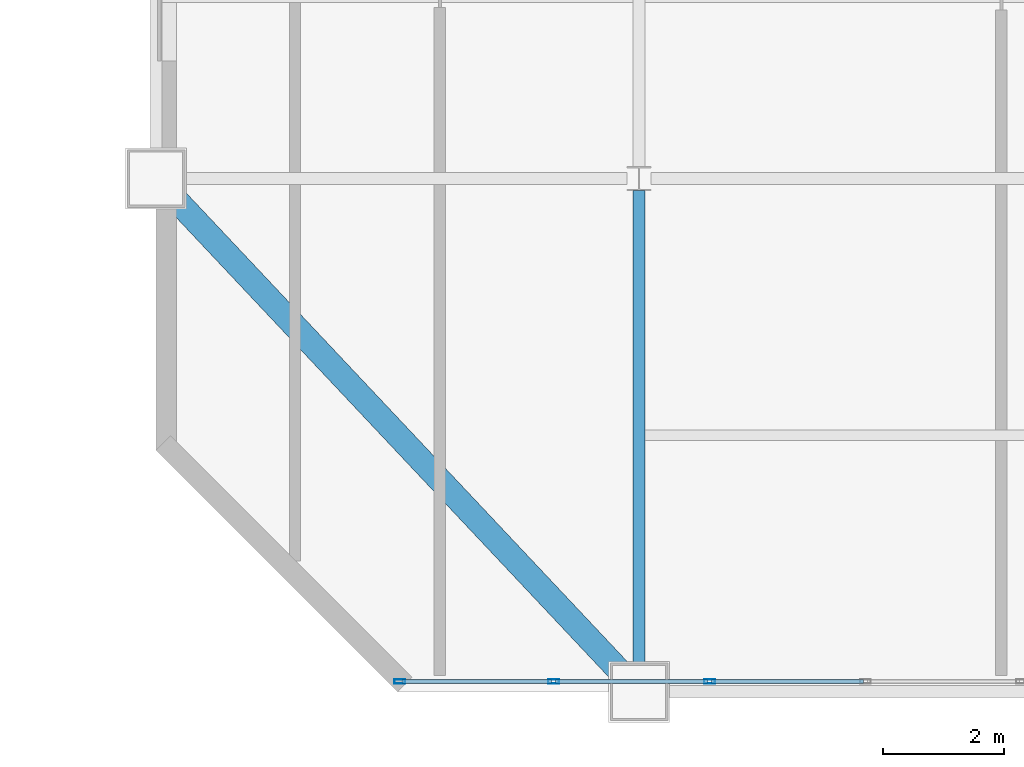
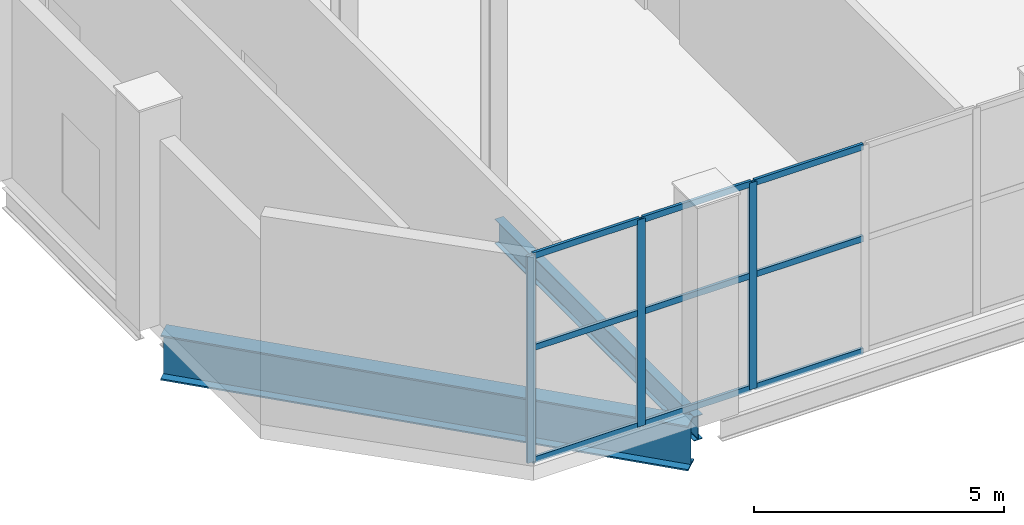
# One storey, part 7 of 24: 12 members, 2 beams, 1 element without a shape of its own.
"""IFC4 building model written with IfcOpenShell, lengths in metres."""

from ifc_helpers import new_model, si_unit, direction, frame, origin, origin_2d, place, context, subcontext, project, spatial, hollow_rectangle, i_section, extrude, material, layer, layer_set, material_profile, profile_set, type_object, element, aggregate, save


model = new_model("IFC4")

# Units and contexts
model_context = context("Model", 3, precision=1e-05, world=origin(), true_north=direction((0.0, 1.0)))
body_context = subcontext(model_context, "Body", "Model", "MODEL_VIEW")
ifc_project = project(units=[si_unit("LENGTHUNIT", "METRE"), si_unit("AREAUNIT", "SQUARE_METRE"), si_unit("VOLUMEUNIT", "CUBIC_METRE"), si_unit("PLANEANGLEUNIT", "RADIAN"), si_unit("MASSUNIT", "GRAM", prefix="KILO")], contexts=[model_context])

# Site, building, storey
site_placement = place(None, origin())
site = spatial("IfcSite", under=ifc_project, at=site_placement, CompositionType="ELEMENT")
building_placement = place(site_placement, origin())
building = spatial("IfcBuilding", under=site, at=building_placement, Name="Qianrong Seaharbour Tower", CompositionType="ELEMENT")
storey_placement = place(building_placement, frame((0.0, 0.0, 195.0)))
storey = spatial("IfcBuildingStorey", under=building, at=storey_placement, Name="L47", CompositionType="ELEMENT", Elevation=195.0)

# Beams
ifc_material_1 = material(Name="Structural steel SN490B", Category="steel")
ifc_material_profile_1 = material_profile(ifc_material_1, i_section(OverallWidth=0.199951171875, OverallDepth=0.60009765625, WebThickness=0.010986328125, FlangeThickness=0.01708984375, FilletRadius=0.02197265625, at=origin_2d()), Name="H600x200x11x17")
ifc_profile_set_1 = profile_set([ifc_material_profile_1], Name="Structural steel SN490B")
beam_type_1 = type_object("IfcBeamType", Name="BM-G-600", PredefinedType="BEAM", material=ifc_profile_set_1)
beam_1_placement = place(storey_placement, frame((48.5, 4.320068359375, -0.64990234375), z_axis=(0.0, 1.0, 0.0), x_axis=(-1.0, 0.0, 0.0)))
element("IfcBeam", 1, at=beam_1_placement, inside=storey, type_object=beam_type_1, Name="L47 Primary Girder G7 GB-GC", PredefinedType="BEAM", context=body_context, shape_type="SweptSolid", body=[
    extrude(i_section(OverallWidth=0.199951171875, OverallDepth=0.60009765625, WebThickness=0.010986328125, FlangeThickness=0.01708984375, FilletRadius=0.02197265625, at=origin_2d()), origin(), (0.0, 0.0, 1.0), 7.97998046875),
])
ifc_material_profile_2 = material_profile(ifc_material_1, i_section(OverallWidth=0.39990234375, OverallDepth=1.10009765625, WebThickness=0.02001953125, FlangeThickness=0.035888671875, at=origin_2d()), Name="BH1100x400x20x36")
ifc_profile_set_2 = profile_set([ifc_material_profile_2], Name="Structural steel SN490B")
beam_type_2 = type_object("IfcBeamType", Name="BM-TG-1100", PredefinedType="BEAM", material=ifc_profile_set_2)
beam_2_placement = place(storey_placement, frame((48.28076171875, 4.23291015625, -0.89990234375), z_axis=(-0.685361938021, 0.728202591256, 0.0), x_axis=(-0.728202591256, -0.685361938021, 0.0)))
element("IfcBeam", 2, at=beam_2_placement, inside=storey, type_object=beam_type_2, Name="L47 Chamfer Corner Spandrel Girder G6/GB", PredefinedType="BEAM", context=body_context, shape_type="SweptSolid", body=[
    extrude(i_section(OverallWidth=0.39990234375, OverallDepth=1.10009765625, WebThickness=0.02001953125, FlangeThickness=0.035888671875, at=origin_2d()), origin(), (0.0, 0.0, 1.0), 11.032958984375),
])

# Curtain wall, members
ifc_material_2 = material(Name="Anodised aluminium 6063-T6 and laminated low-e glass", Category="aluminium")
ifc_layer = layer(ifc_material_2, 0.18505859375)
ifc_layer_set = layer_set([ifc_layer], Name="Anodised aluminium 6063-T6 and laminated low-e glass")
curtain_wall_type = type_object("IfcCurtainWallType", Name="CW-SYS-4", PredefinedType="NOTDEFINED", material=ifc_layer_set)
curtain_wall_placement = place(storey_placement, origin())
curtain_wall = element("IfcCurtainWall", 3, at=curtain_wall_placement, inside=storey, type_object=curtain_wall_type, Name="L47 Refuge Acoustic Louvre Curtain Wall SOUTH_TIP", PredefinedType="NOTDEFINED")
ifc_material_3 = material(Name="Extruded aluminium 6063-T6", Category="aluminium")
ifc_material_profile_3 = material_profile(ifc_material_3, hollow_rectangle(XDim=0.070068359375, YDim=0.179931640625, WallThickness=0.00390625, at=origin_2d()), Name="ALU-MUL-180x70x4")
ifc_profile_set_3 = profile_set([ifc_material_profile_3], Name="Extruded aluminium 6063-T6")
member_type_1 = type_object("IfcMemberType", Name="CW-MUL-180", PredefinedType="MULLION", material=ifc_profile_set_3)
member_1_placement = place(storey_placement, frame((49.666748046875, 4.169921875, 0.0), z_axis=(0.0, 0.0, 1.0), x_axis=(0.0, -1.0, 0.0)))
member_1 = element("IfcMember", 4, at=member_1_placement, type_object=member_type_1, Name="CW-4 mullion 5", PredefinedType="MULLION", context=body_context, shape_type="SweptSolid", body=[
    extrude(hollow_rectangle(XDim=0.070068359375, YDim=0.179931640625, WallThickness=0.00390625, at=origin_2d()), origin(), (0.0, 0.0, 1.0), 5.06005859375),
])
member_2_placement = place(storey_placement, frame((47.083251953125, 4.169921875, 0.0), z_axis=(0.0, 0.0, 1.0), x_axis=(0.0, -1.0, 0.0)))
member_2 = element("IfcMember", 5, at=member_2_placement, type_object=member_type_1, Name="CW-4 mullion 6", PredefinedType="MULLION", context=body_context, shape_type="SweptSolid", body=[
    extrude(hollow_rectangle(XDim=0.070068359375, YDim=0.179931640625, WallThickness=0.00390625, at=origin_2d()), origin(), (0.0, 0.0, 1.0), 5.06005859375),
])
member_3_placement = place(storey_placement, frame((44.534912109375, 4.169921875, 0.0), z_axis=(0.0, 0.0, 1.0), x_axis=(0.0, -1.0, 0.0)))
member_3 = element("IfcMember", 6, at=member_3_placement, type_object=member_type_1, Name="CW-4 mullion 7", PredefinedType="MULLION", context=body_context, shape_type="SweptSolid", body=[
    extrude(hollow_rectangle(XDim=0.070068359375, YDim=0.179931640625, WallThickness=0.00390625, at=origin_2d()), origin(), (0.0, 0.0, 1.0), 5.06005859375),
])
ifc_material_profile_4 = material_profile(ifc_material_3, hollow_rectangle(XDim=0.06494140625, YDim=0.14990234375, WallThickness=0.00390625, at=origin_2d()), Name="ALU-TRN-150x65x4")
ifc_profile_set_4 = profile_set([ifc_material_profile_4], Name="Extruded aluminium 6063-T6")
member_type_2 = type_object("IfcMemberType", Name="CW-TRN-150", PredefinedType="USERDEFINED", material=ifc_profile_set_4)
member_4_placement = place(storey_placement, frame((52.215087890625, 4.169921875, 0.032470703125), z_axis=(-1.0, 0.0, 0.0), x_axis=(0.0, -1.0, 0.0)))
member_4 = element("IfcMember", 7, at=member_4_placement, type_object=member_type_2, Name="CW-4 transom 4.1", ObjectType="TRANSOM", PredefinedType="USERDEFINED", context=body_context, shape_type="SweptSolid", body=[
    extrude(hollow_rectangle(XDim=0.06494140625, YDim=0.14990234375, WallThickness=0.00390625, at=origin_2d()), origin(), (0.0, 0.0, 1.0), 2.513427734375),
])
member_5_placement = place(storey_placement, frame((52.215087890625, 4.169921875, 2.782958984375), z_axis=(-1.0, 0.0, 0.0), x_axis=(0.0, -1.0, 0.0)))
member_5 = element("IfcMember", 8, at=member_5_placement, type_object=member_type_2, Name="CW-4 transom 4.2", ObjectType="TRANSOM", PredefinedType="USERDEFINED", context=body_context, shape_type="SweptSolid", body=[
    extrude(hollow_rectangle(XDim=0.06494140625, YDim=0.14990234375, WallThickness=0.00390625, at=origin_2d()), origin(), (0.0, 0.0, 1.0), 2.513427734375),
])
member_6_placement = place(storey_placement, frame((52.215087890625, 4.169921875, 5.027587890625), z_axis=(-1.0, 0.0, 0.0), x_axis=(0.0, -1.0, 0.0)))
member_6 = element("IfcMember", 9, at=member_6_placement, type_object=member_type_2, Name="CW-4 transom 4.3", ObjectType="TRANSOM", PredefinedType="USERDEFINED", context=body_context, shape_type="SweptSolid", body=[
    extrude(hollow_rectangle(XDim=0.06494140625, YDim=0.14990234375, WallThickness=0.00390625, at=origin_2d()), origin(), (0.0, 0.0, 1.0), 2.513427734375),
])
member_7_placement = place(storey_placement, frame((49.631591796875, 4.169921875, 0.032470703125), z_axis=(-1.0, 0.0, 0.0), x_axis=(0.0, -1.0, 0.0)))
member_7 = element("IfcMember", 10, at=member_7_placement, type_object=member_type_2, Name="CW-4 transom 5.1", ObjectType="TRANSOM", PredefinedType="USERDEFINED", context=body_context, shape_type="SweptSolid", body=[
    extrude(hollow_rectangle(XDim=0.06494140625, YDim=0.14990234375, WallThickness=0.00390625, at=origin_2d()), origin(), (0.0, 0.0, 1.0), 2.51318359375),
])
member_8_placement = place(storey_placement, frame((49.631591796875, 4.169921875, 2.782958984375), z_axis=(-1.0, 0.0, 0.0), x_axis=(0.0, -1.0, 0.0)))
member_8 = element("IfcMember", 11, at=member_8_placement, type_object=member_type_2, Name="CW-4 transom 5.2", ObjectType="TRANSOM", PredefinedType="USERDEFINED", context=body_context, shape_type="SweptSolid", body=[
    extrude(hollow_rectangle(XDim=0.06494140625, YDim=0.14990234375, WallThickness=0.00390625, at=origin_2d()), origin(), (0.0, 0.0, 1.0), 2.51318359375),
])
member_9_placement = place(storey_placement, frame((49.631591796875, 4.169921875, 5.027587890625), z_axis=(-1.0, 0.0, 0.0), x_axis=(0.0, -1.0, 0.0)))
member_9 = element("IfcMember", 12, at=member_9_placement, type_object=member_type_2, Name="CW-4 transom 5.3", ObjectType="TRANSOM", PredefinedType="USERDEFINED", context=body_context, shape_type="SweptSolid", body=[
    extrude(hollow_rectangle(XDim=0.06494140625, YDim=0.14990234375, WallThickness=0.00390625, at=origin_2d()), origin(), (0.0, 0.0, 1.0), 2.51318359375),
])
member_10_placement = place(storey_placement, frame((47.04833984375, 4.169921875, 0.032470703125), z_axis=(-1.0, 0.0, 0.0), x_axis=(0.0, -1.0, 0.0)))
member_10 = element("IfcMember", 13, at=member_10_placement, type_object=member_type_2, Name="CW-4 transom 6.1", ObjectType="TRANSOM", PredefinedType="USERDEFINED", context=body_context, shape_type="SweptSolid", body=[
    extrude(hollow_rectangle(XDim=0.06494140625, YDim=0.14990234375, WallThickness=0.00390625, at=origin_2d()), origin(), (0.0, 0.0, 1.0), 2.478271484375),
])
member_11_placement = place(storey_placement, frame((47.04833984375, 4.169921875, 2.782958984375), z_axis=(-1.0, 0.0, 0.0), x_axis=(0.0, -1.0, 0.0)))
member_11 = element("IfcMember", 14, at=member_11_placement, type_object=member_type_2, Name="CW-4 transom 6.2", ObjectType="TRANSOM", PredefinedType="USERDEFINED", context=body_context, shape_type="SweptSolid", body=[
    extrude(hollow_rectangle(XDim=0.06494140625, YDim=0.14990234375, WallThickness=0.00390625, at=origin_2d()), origin(), (0.0, 0.0, 1.0), 2.478271484375),
])
member_12_placement = place(storey_placement, frame((47.04833984375, 4.169921875, 5.027587890625), z_axis=(-1.0, 0.0, 0.0), x_axis=(0.0, -1.0, 0.0)))
member_12 = element("IfcMember", 15, at=member_12_placement, type_object=member_type_2, Name="CW-4 transom 6.3", ObjectType="TRANSOM", PredefinedType="USERDEFINED", context=body_context, shape_type="SweptSolid", body=[
    extrude(hollow_rectangle(XDim=0.06494140625, YDim=0.14990234375, WallThickness=0.00390625, at=origin_2d()), origin(), (0.0, 0.0, 1.0), 2.478271484375),
])
aggregate(curtain_wall, [member_1, member_2, member_3, member_4, member_5, member_6, member_7, member_8, member_9, member_10, member_11, member_12])

save(model, "model.ifc")
